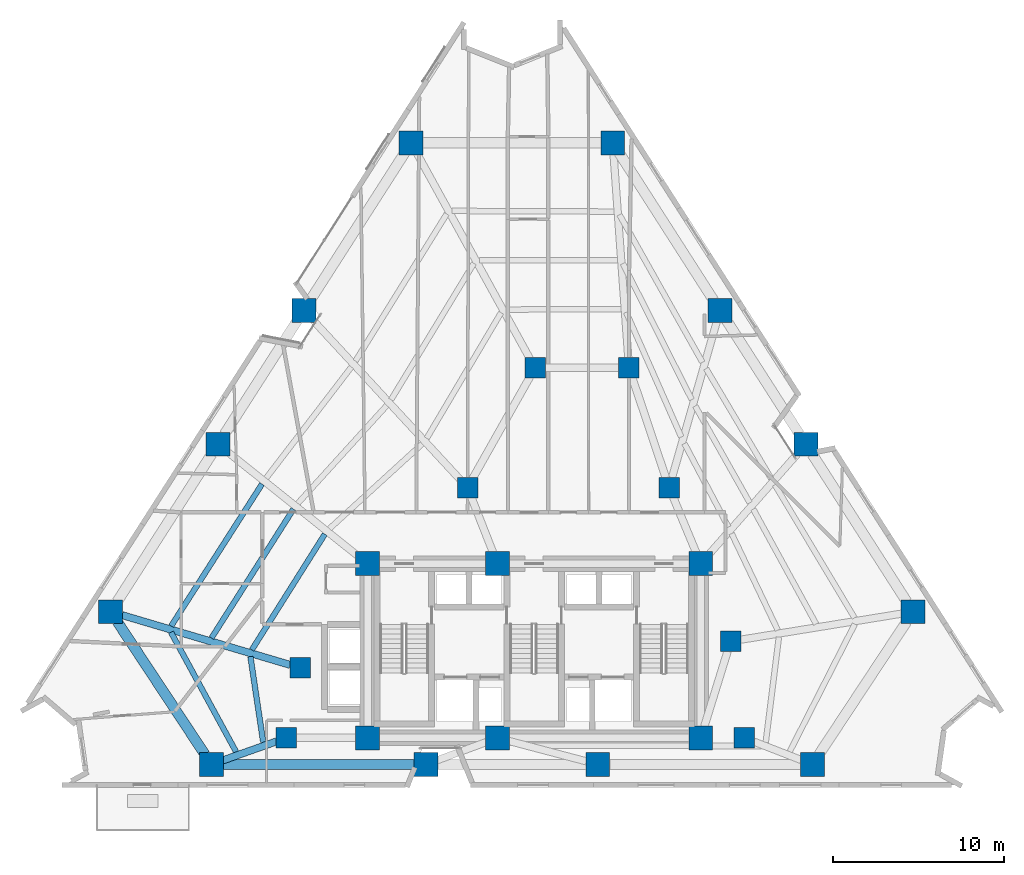
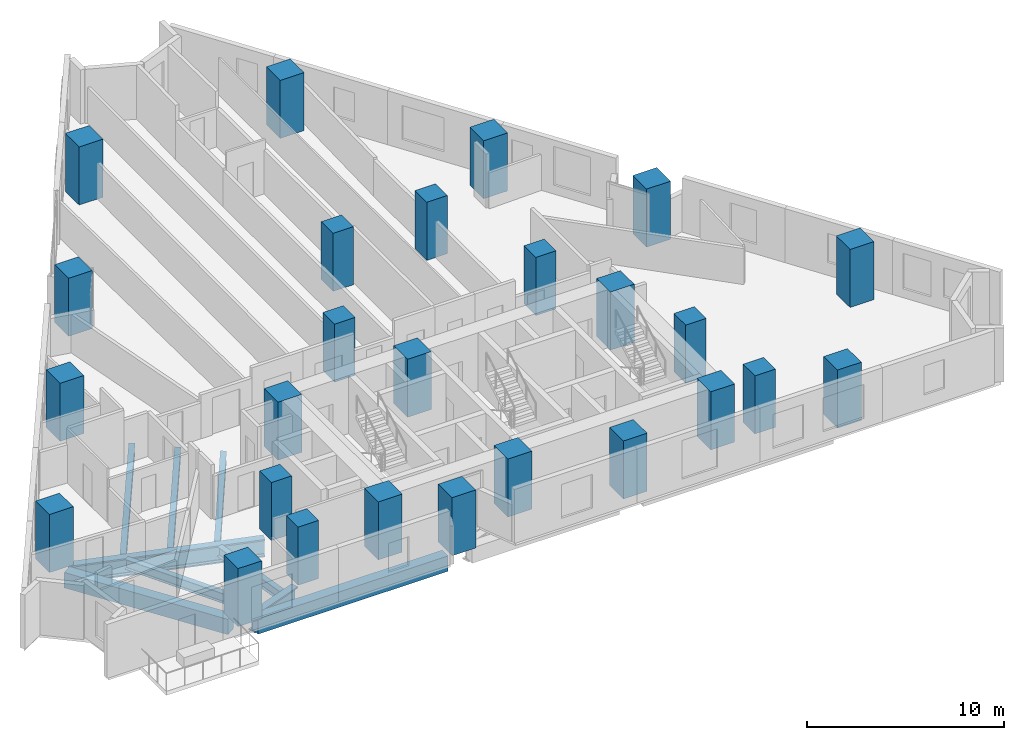
# One storey, part 1 of 14: 26 columns, 9 beams.
"""IFC4 building model written with IfcOpenShell, lengths in metres."""

from ifc_helpers import new_model, si_unit, direction, frame, origin, origin_2d, place, context, subcontext, project, spatial, rectangle, i_section, extrude, material, material_profile, profile_set, type_object, element, save


model = new_model("IFC4")

# Units and contexts
model_context = context("Model", 3, precision=1e-05, world=origin(), true_north=direction((0.0, 1.0)))
body_context = subcontext(model_context, "Body", "Model", "MODEL_VIEW")
ifc_project = project(units=[si_unit("LENGTHUNIT", "METRE"), si_unit("AREAUNIT", "SQUARE_METRE"), si_unit("VOLUMEUNIT", "CUBIC_METRE"), si_unit("PLANEANGLEUNIT", "RADIAN"), si_unit("MASSUNIT", "GRAM", prefix="KILO")], contexts=[model_context])

# Site, building, storey
site_placement = place(None, origin())
site = spatial("IfcSite", under=ifc_project, at=site_placement, CompositionType="ELEMENT")
building_placement = place(site_placement, origin())
building = spatial("IfcBuilding", under=site, at=building_placement, Name="Almagre Mirador Tower", CompositionType="ELEMENT")
storey_placement = place(building_placement, frame((0.0, 0.0, 35.39990234375)))
storey = spatial("IfcBuildingStorey", under=building, at=storey_placement, Name="L07", CompositionType="ELEMENT", Elevation=35.39990234375)

# Columns
ifc_material_1 = material(Name="Concrete C60/75", Category="concrete")
ifc_material_profile_1 = material_profile(ifc_material_1, rectangle(XDim=1.199951171875, YDim=1.199951171875, at=origin_2d()), Name="RC1200X1200")
ifc_profile_set_1 = profile_set([ifc_material_profile_1], Name="Concrete C60/75")
column_type_1 = type_object("IfcColumnType", Name="COL-RC1200", PredefinedType="COLUMN", material=ifc_profile_set_1)
for number, where, z_axis, x_axis, name in (
    (1, (22.800048828125, 4.550048828125, 0.0), (0.0, 0.0, 1.0), (1.0, 0.0, 0.0), "L07 interior transfer column MC1"),
    (2, (49.60009765625, 4.550048828125, 0.0), (0.0, 0.0, 1.0), (1.0, 0.0, 0.0), "L07 interior transfer column MC2"),
    (3, (48.800048828125, 10.199951171875, 0.0), (0.0, 0.0, 1.0), (1.0, 0.0, 0.0), "L07 interior transfer column MC3"),
    (4, (45.199951171875, 19.199951171875, 0.0), (0.0, 0.0, 1.0), (1.0, 0.0, 0.0), "L07 interior transfer column MC5"),
    (5, (42.85009765625, 26.199951171875, 0.0), (0.0, 0.0, 1.0), (1.0, 0.0, 0.0), "L07 interior transfer column MC6"),
    (6, (37.35009765625, 26.199951171875, 0.0), (0.0, 0.0, 1.0), (1.0, 0.0, 0.0), "L07 interior transfer column MC7"),
    (7, (33.39990234375, 19.199951171875, 0.0), (0.0, 0.0, 1.0), (1.0, 0.0, 0.0), "L07 interior transfer column MC8"),
    (8, (23.60009765625, 8.64990234375, 0.0), (0.0, 0.0, 1.0), (1.0, 0.0, 0.0), "L07 interior transfer column MC10"),
):
    element("IfcColumn", number, at=place(storey_placement, frame(where, z_axis=z_axis, x_axis=x_axis)), inside=storey, type_object=column_type_1, Name=name, PredefinedType="COLUMN", context=body_context, shape_type="SweptSolid", body=[
        extrude(rectangle(XDim=1.199951171875, YDim=1.199951171875, at=origin_2d()), origin(), (0.0, 0.0, 1.0), 3.60009765625),
    ])
ifc_material_2 = material(Name="Concrete C60/75", Category="concrete")
ifc_material_profile_2 = material_profile(ifc_material_2, rectangle(XDim=1.39990234375, YDim=1.39990234375, at=origin_2d()), Name="RC1400X1400")
ifc_profile_set_2 = profile_set([ifc_material_profile_2], Name="Concrete C60/75")
column_type_2 = type_object("IfcColumnType", Name="COL-RC1400", PredefinedType="COLUMN", material=ifc_profile_set_2)
for number, where, z_axis, x_axis, name in (
    (9, (27.550048828125, 4.550048828125, 0.0), (0.0, 0.0, 1.0), (1.0, 0.0, 0.0), "L07 core spine column CC1"),
    (10, (35.14990234375, 4.550048828125, 0.0), (0.0, 0.0, 1.0), (1.0, 0.0, 0.0), "L07 core spine column CC2"),
    (11, (47.050048828125, 4.550048828125, 0.0), (0.0, 0.0, 1.0), (1.0, 0.0, 0.0), "L07 core spine column CC3"),
    (12, (27.550048828125, 14.75, 0.0), (0.0, 0.0, 1.0), (1.0, 0.0, 0.0), "L07 core spine column CC4"),
    (13, (35.14990234375, 14.75, 0.0), (0.0, 0.0, 1.0), (1.0, 0.0, 0.0), "L07 core spine column CC5"),
    (14, (47.050048828125, 14.75, 0.0), (0.0, 0.0, 1.0), (1.0, 0.0, 0.0), "L07 core spine column CC6"),
    (15, (18.416015625, 3.0, 0.0), (0.0, 0.0, 1.0), (1.0, 0.0, 0.0), "L07 perimeter column PC01"),
    (16, (30.97607421875, 3.0, 0.0), (0.0, 0.0, 1.0), (1.0, 0.0, 0.0), "L07 perimeter column PC02"),
    (17, (41.02392578125, 3.0, 0.0), (0.0, 0.0, 1.0), (1.0, 0.0, 0.0), "L07 perimeter column PC03"),
    (18, (53.583984375, 3.0, 0.0), (0.0, 0.0, 1.0), (1.0, 0.0, 0.0), "L07 perimeter column PC04"),
    (19, (59.48193359375, 11.93310546875, 0.0), (0.0, 0.0, 1.0), (1.0, 0.0, 0.0), "L07 perimeter column PC05"),
    (20, (53.201904296875, 21.73291015625, 0.0), (0.0, 0.0, 1.0), (1.0, 0.0, 0.0), "L07 perimeter column PC06"),
    (21, (48.177978515625, 29.572998046875, 0.0), (0.0, 0.0, 1.0), (1.0, 0.0, 0.0), "L07 perimeter column PC07"),
    (22, (41.89794921875, 39.373046875, 0.0), (0.0, 0.0, 1.0), (1.0, 0.0, 0.0), "L07 perimeter column PC08"),
    (23, (30.10205078125, 39.373046875, 0.0), (0.0, 0.0, 1.0), (1.0, 0.0, 0.0), "L07 perimeter column PC09"),
    (24, (23.822021484375, 29.572998046875, 0.0), (0.0, 0.0, 1.0), (1.0, 0.0, 0.0), "L07 perimeter column PC10"),
    (25, (18.798095703125, 21.73291015625, 0.0), (0.0, 0.0, 1.0), (1.0, 0.0, 0.0), "L07 perimeter column PC11"),
    (26, (12.51806640625, 11.93310546875, 0.0), (0.0, 0.0, 1.0), (1.0, 0.0, 0.0), "L07 perimeter column PC12"),
):
    element("IfcColumn", number, at=place(storey_placement, frame(where, z_axis=z_axis, x_axis=x_axis)), inside=storey, type_object=column_type_2, Name=name, PredefinedType="COLUMN", context=body_context, shape_type="SweptSolid", body=[
        extrude(rectangle(XDim=1.39990234375, YDim=1.39990234375, at=origin_2d()), origin(), (0.0, 0.0, 1.0), 3.60009765625),
    ])

# Beams
ifc_material_3 = material(Name="Steel ASTM A992 Grade 50", Category="steel")
ifc_material_profile_3 = material_profile(ifc_material_3, i_section(OverallWidth=0.323974609375, OverallDepth=0.611083984375, WebThickness=0.0126953125, FlangeThickness=0.01904296875, FilletRadius=0.02001953125, at=origin_2d()), Name="W24X104")
ifc_profile_set_3 = profile_set([ifc_material_profile_3], Name="Steel ASTM A992 Grade 50")
beam_type_1 = type_object("IfcBeamType", Name="BM-JST-W24X104", PredefinedType="JOIST", material=ifc_profile_set_3)
beam_1_placement = place(storey_placement, frame((21.375, 19.406982421875, -0.555419921875), z_axis=(-0.53899541112, -0.842308700413, 0.0), x_axis=(0.842308700413, -0.53899541112, 0.0)))
element("IfcBeam", 27, at=beam_1_placement, inside=storey, type_object=beam_type_1, Name="L07 secondary floor joist PC11-PC12.1", PredefinedType="JOIST", context=body_context, shape_type="SweptSolid", body=[
    extrude(i_section(OverallWidth=0.323974609375, OverallDepth=0.611083984375, WebThickness=0.0126953125, FlangeThickness=0.01904296875, FilletRadius=0.02001953125, at=origin_2d()), origin(), (0.0, 0.0, 1.0), 9.86572265625),
])
beam_2_placement = place(storey_placement, frame((23.21337890625, 17.9404296875, -0.555419921875), z_axis=(-0.536567926307, -0.843857132729, 0.0), x_axis=(0.843857132729, -0.536567926307, 0.0)))
element("IfcBeam", 28, at=beam_2_placement, inside=storey, type_object=beam_type_1, Name="L07 secondary floor joist PC11-PC12.2", PredefinedType="JOIST", context=body_context, shape_type="SweptSolid", body=[
    extrude(i_section(OverallWidth=0.323974609375, OverallDepth=0.611083984375, WebThickness=0.0126953125, FlangeThickness=0.01904296875, FilletRadius=0.02001953125, at=origin_2d()), origin(), (0.0, 0.0, 1.0), 8.93798828125),
])
beam_3_placement = place(storey_placement, frame((25.0517578125, 16.4736328125, -0.555419921875), z_axis=(-0.533607646591, -0.845732155886, 0.0), x_axis=(0.845732155886, -0.533607646591, 0.0)))
element("IfcBeam", 29, at=beam_3_placement, inside=storey, type_object=beam_type_1, Name="L07 secondary floor joist PC11-PC12.3", PredefinedType="JOIST", context=body_context, shape_type="SweptSolid", body=[
    extrude(i_section(OverallWidth=0.323974609375, OverallDepth=0.611083984375, WebThickness=0.0126953125, FlangeThickness=0.01904296875, FilletRadius=0.02001953125, at=origin_2d()), origin(), (0.0, 0.0, 1.0), 8.010498046875),
])
beam_4_placement = place(storey_placement, frame((16.044677734375, 10.732177734375, -0.555419921875), z_axis=(0.478467993504, -0.878104993262, 0.0), x_axis=(0.878104993262, 0.478467993504, 0.0)))
element("IfcBeam", 30, at=beam_4_placement, inside=storey, type_object=beam_type_1, Name="L07 secondary floor joist PC12-PC01.1", PredefinedType="JOIST", context=body_context, shape_type="SweptSolid", body=[
    extrude(i_section(OverallWidth=0.323974609375, OverallDepth=0.611083984375, WebThickness=0.0126953125, FlangeThickness=0.01904296875, FilletRadius=0.02001953125, at=origin_2d()), origin(), (0.0, 0.0, 1.0), 7.9716796875),
])
beam_5_placement = place(storey_placement, frame((20.695556640625, 9.31005859375, -0.555419921875), z_axis=(0.147716912035, -0.989029683022, 0.0), x_axis=(0.989029683022, 0.147716912035, 0.0)))
element("IfcBeam", 31, at=beam_5_placement, inside=storey, type_object=beam_type_1, Name="L07 secondary floor joist PC12-PC01.3", PredefinedType="JOIST", context=body_context, shape_type="SweptSolid", body=[
    extrude(i_section(OverallWidth=0.323974609375, OverallDepth=0.611083984375, WebThickness=0.0126953125, FlangeThickness=0.01904296875, FilletRadius=0.02001953125, at=origin_2d()), origin(), (0.0, 0.0, 1.0), 5.073974609375),
])
ifc_material_4 = material(Name="Precast concrete C50/60", Category="concrete")
ifc_material_profile_4 = material_profile(ifc_material_4, rectangle(XDim=0.60009765625, YDim=0.949951171875, at=origin_2d()), Name="RC600X950")
ifc_profile_set_4 = profile_set([ifc_material_profile_4], Name="Precast concrete C50/60")
beam_type_2 = type_object("IfcBeamType", Name="BM-SPN-RC600X950", PredefinedType="SPANDREL", material=ifc_profile_set_4)
beam_6_placement = place(storey_placement, frame((19.115966796875, 3.0, -0.724853515625), z_axis=(1.0, 0.0, 0.0), x_axis=(0.0, 1.0, 0.0)))
element("IfcBeam", 32, at=beam_6_placement, inside=storey, type_object=beam_type_2, Name="L07 perimeter spandrel beam PC01-PC02", PredefinedType="SPANDREL", context=body_context, shape_type="SweptSolid", body=[
    extrude(rectangle(XDim=0.60009765625, YDim=0.949951171875, at=origin_2d()), origin(), (0.0, 0.0, 1.0), 11.159912109375),
])
beam_7_placement = place(storey_placement, frame((12.90380859375, 11.348876953125, -0.724853515625), z_axis=(0.550976725149, -0.834520609898, 0.0), x_axis=(0.834520609898, 0.550976725149, 0.0)))
element("IfcBeam", 33, at=beam_7_placement, inside=storey, type_object=beam_type_2, Name="L07 perimeter spandrel beam PC12-PC01", PredefinedType="SPANDREL", context=body_context, shape_type="SweptSolid", body=[
    extrude(rectangle(XDim=0.60009765625, YDim=0.949951171875, at=origin_2d()), origin(), (0.0, 0.0, 1.0), 9.304443359375),
])
ifc_material_5 = material(Name="Steel ASTM A913 Grade 65", Category="steel")
ifc_material_profile_5 = material_profile(ifc_material_5, i_section(OverallWidth=0.424072265625, OverallDepth=1.092041015625, WebThickness=0.04541015625, FlangeThickness=0.08203125, FilletRadius=0.030029296875, at=origin_2d()), Name="W40X593")
ifc_profile_set_5 = profile_set([ifc_material_profile_5], Name="Steel ASTM A913 Grade 65")
beam_type_3 = type_object("IfcBeamType", Name="BM-STL-W40X593", PredefinedType="BEAM", material=ifc_profile_set_5)
beam_8_placement = place(storey_placement, frame((19.075927734375, 3.2333984375, -0.7958984375), z_axis=(0.942807214234, 0.333338501809, 0.0), x_axis=(-0.333338501809, 0.942807214234, 0.0)))
element("IfcBeam", 34, at=beam_8_placement, inside=storey, type_object=beam_type_3, Name="L07 radial floor girder PC01-MC1", PredefinedType="BEAM", context=body_context, shape_type="SweptSolid", body=[
    extrude(i_section(OverallWidth=0.424072265625, OverallDepth=1.092041015625, WebThickness=0.04541015625, FlangeThickness=0.08203125, FilletRadius=0.030029296875, at=origin_2d()), origin(), (0.0, 0.0, 1.0), 3.35009765625),
])
beam_9_placement = place(storey_placement, frame((13.189208984375, 11.734130859375, -0.7958984375), z_axis=(0.958808436431, -0.284053484804, 0.0), x_axis=(0.284053484804, 0.958808436431, 0.0)))
element("IfcBeam", 35, at=beam_9_placement, inside=storey, type_object=beam_type_3, Name="L07 radial floor girder PC12-MC10", PredefinedType="BEAM", context=body_context, shape_type="SweptSolid", body=[
    extrude(i_section(OverallWidth=0.424072265625, OverallDepth=1.092041015625, WebThickness=0.04541015625, FlangeThickness=0.08203125, FilletRadius=0.030029296875, at=origin_2d()), origin(), (0.0, 0.0, 1.0), 10.258056640625),
])

save(model, "model.ifc")
